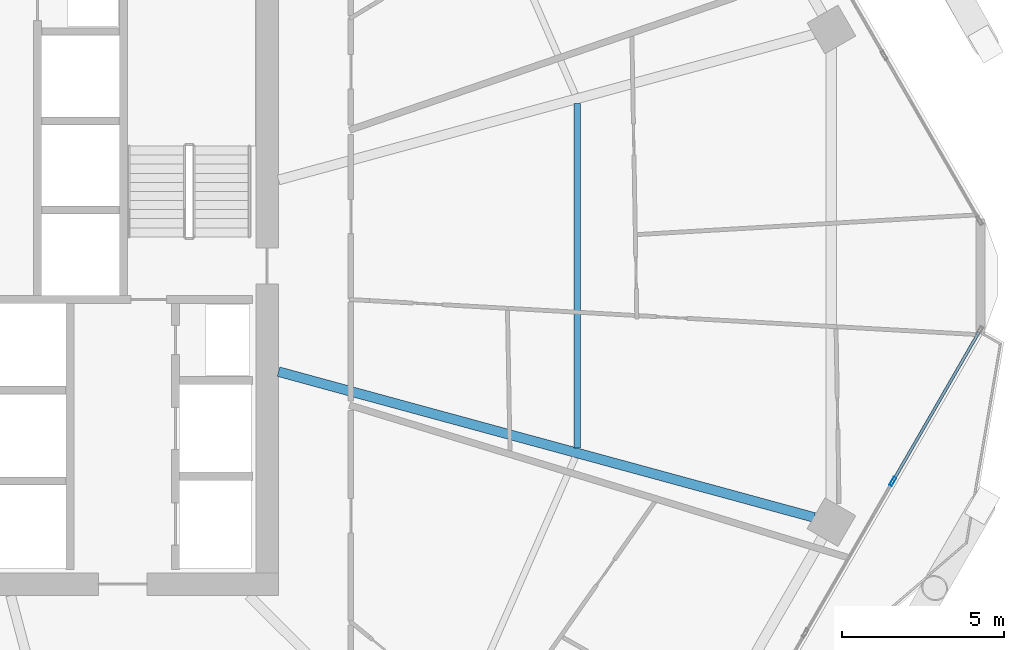
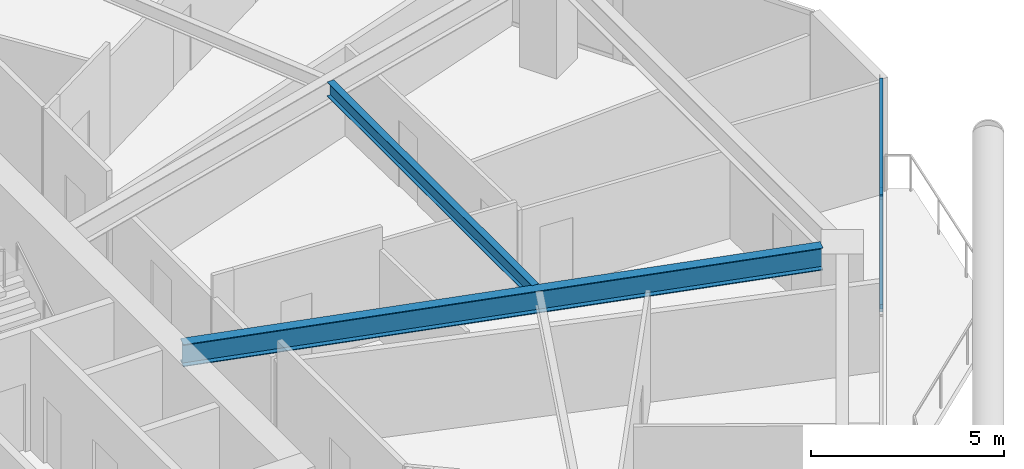
# One storey, part 13 of 36: 3 members, 2 beams, 1 element without a shape of its own.
"""IFC4 building model written with IfcOpenShell, lengths in metres."""

from ifc_helpers import new_model, si_unit, direction, frame, origin, origin_2d, place, context, subcontext, project, spatial, hollow_rectangle, i_section, extrude, material, material_profile, profile_set, type_object, element, aggregate, save


model = new_model("IFC4")

# Units and contexts
model_context = context("Model", 3, precision=1e-05, world=origin(), true_north=direction((0.0, 1.0)))
body_context = subcontext(model_context, "Body", "Model", "MODEL_VIEW")
ifc_project = project(units=[si_unit("LENGTHUNIT", "METRE"), si_unit("AREAUNIT", "SQUARE_METRE"), si_unit("VOLUMEUNIT", "CUBIC_METRE"), si_unit("PLANEANGLEUNIT", "RADIAN"), si_unit("MASSUNIT", "GRAM", prefix="KILO")], contexts=[model_context])

# Site, building, storey
site_placement = place(None, origin())
site = spatial("IfcSite", under=ifc_project, at=site_placement, CompositionType="ELEMENT")
building_placement = place(site_placement, origin())
building = spatial("IfcBuilding", under=site, at=building_placement, Name="Zuhravey Tower", CompositionType="ELEMENT")
storey_placement = place(building_placement, frame((0.0, 0.0, 107.60009765625)))
storey = spatial("IfcBuildingStorey", under=building, at=storey_placement, Name="L26", CompositionType="ELEMENT", Elevation=107.60009765625)

# Curtain wall, members
ifc_material_1 = material(Name="Thermally broken anodised aluminium", Category="aluminium")
curtain_wall_type = type_object("IfcCurtainWallType", Name="Zone 1-2 Residential Curtain Wall CW3", PredefinedType="NOTDEFINED", material=ifc_material_1)
curtain_wall_placement = place(storey_placement, origin())
curtain_wall = element("IfcCurtainWall", 1, at=curtain_wall_placement, inside=storey, type_object=curtain_wall_type, Name="L26 CW3 CW-L26-F6-1", PredefinedType="NOTDEFINED")
ifc_material_2 = material(Name="Anodised aluminium", Category="aluminium")
ifc_material_profile_1 = material_profile(ifc_material_2, hollow_rectangle(XDim=0.090087890625, YDim=0.284912109375, WallThickness=0.0048828125, at=origin_2d()), Name="ALU-RHS-90x285x5")
ifc_profile_set_1 = profile_set([ifc_material_profile_1], Name="Anodised aluminium")
member_type_1 = type_object("IfcMemberType", Name="Curtain-Wall Mullion 90x180", PredefinedType="MULLION", material=ifc_profile_set_1)
member_1_placement = place(storey_placement, frame((65.77978515625, 25.6630859375, 0.0), z_axis=(0.0, 0.0, 1.0), x_axis=(0.866026488417, -0.499998121356, 0.0)))
member_1 = element("IfcMember", 2, at=member_1_placement, type_object=member_type_1, Name="CW3 mullion 2", PredefinedType="MULLION", context=body_context, shape_type="SweptSolid", body=[
    extrude(hollow_rectangle(XDim=0.090087890625, YDim=0.284912109375, WallThickness=0.0048828125, at=origin_2d()), origin(), (0.0, 0.0, 1.0), 3.5498046875),
])
ifc_material_profile_2 = material_profile(ifc_material_2, hollow_rectangle(XDim=0.090087890625, YDim=0.14990234375, WallThickness=0.0048828125, at=origin_2d()), Name="ALU-RHS-90x150x5")
ifc_profile_set_2 = profile_set([ifc_material_profile_2], Name="Anodised aluminium")
member_type_2 = type_object("IfcMemberType", Name="Curtain-Wall Transom 90x150", PredefinedType="USERDEFINED", material=ifc_profile_set_2)
member_2_placement = place(storey_placement, frame((68.43359375, 30.259521484375, 0.044921875), z_axis=(-0.500020964445, -0.866013299618, 0.0), x_axis=(0.866013299618, -0.500020964445, 0.0)))
member_2 = element("IfcMember", 3, at=member_2_placement, type_object=member_type_2, Name="CW3 transom 1.1", ObjectType="TRANSOM", PredefinedType="USERDEFINED", context=body_context, shape_type="SweptSolid", body=[
    extrude(hollow_rectangle(XDim=0.090087890625, YDim=0.14990234375, WallThickness=0.0048828125, at=origin_2d()), origin(), (0.0, 0.0, 1.0), 5.262451171875),
])
member_3_placement = place(storey_placement, frame((68.43359375, 30.259521484375, 3.5048828125), z_axis=(-0.500020964445, -0.866013299618, 0.0), x_axis=(0.866013299618, -0.500020964445, 0.0)))
member_3 = element("IfcMember", 4, at=member_3_placement, type_object=member_type_2, Name="CW3 transom 1.2", ObjectType="TRANSOM", PredefinedType="USERDEFINED", context=body_context, shape_type="SweptSolid", body=[
    extrude(hollow_rectangle(XDim=0.090087890625, YDim=0.14990234375, WallThickness=0.0048828125, at=origin_2d()), origin(), (0.0, 0.0, 1.0), 5.262451171875),
])
aggregate(curtain_wall, [member_1, member_2, member_3])

# Beams
ifc_material_3 = material(Name="Steel SM355", Category="steel")
ifc_material_profile_3 = material_profile(ifc_material_3, i_section(OverallWidth=0.300048828125, OverallDepth=0.699951171875, WebThickness=0.012939453125, FlangeThickness=0.02392578125, at=origin_2d()), Name="H-700x300x13x24")
ifc_profile_set_3 = profile_set([ifc_material_profile_3], Name="Steel SM355")
beam_type_1 = type_object("IfcBeamType", Name="Radial Primary Girder H700x300", PredefinedType="BEAM", material=ifc_profile_set_3)
beam_1_placement = place(storey_placement, frame((46.85302734375, 29.045654296875, 3.199951171875), z_axis=(0.964893166225, -0.262642680791, 0.0), x_axis=(0.262642680791, 0.964893166225, 0.0)))
element("IfcBeam", 5, at=beam_1_placement, inside=storey, type_object=beam_type_1, Name="L26 RG1 BM-L26-RAD-12", PredefinedType="BEAM", context=body_context, shape_type="SweptSolid", body=[
    extrude(i_section(OverallWidth=0.300048828125, OverallDepth=0.699951171875, WebThickness=0.012939453125, FlangeThickness=0.02392578125, at=origin_2d()), origin(), (0.0, 0.0, 1.0), 17.102783203125),
])
ifc_material_profile_4 = material_profile(ifc_material_3, i_section(OverallWidth=0.199951171875, OverallDepth=0.449951171875, WebThickness=0.009033203125, FlangeThickness=0.013916015625, at=origin_2d()), Name="H-450x200x9x14")
ifc_profile_set_4 = profile_set([ifc_material_profile_4], Name="Steel SM355")
beam_type_2 = type_object("IfcBeamType", Name="Secondary Floor Joist H450x200", PredefinedType="JOIST", material=ifc_profile_set_4)
beam_2_placement = place(storey_placement, frame((56.052490234375, 26.695556640625, 3.324951171875), z_axis=(0.0, 1.0, 0.0), x_axis=(-1.0, 0.0, 0.0)))
element("IfcBeam", 6, at=beam_2_placement, inside=storey, type_object=beam_type_2, Name="L26 SJ1 BM-L26-SJ-12-1", PredefinedType="JOIST", context=body_context, shape_type="SweptSolid", body=[
    extrude(i_section(OverallWidth=0.199951171875, OverallDepth=0.449951171875, WebThickness=0.009033203125, FlangeThickness=0.013916015625, at=origin_2d()), origin(), (0.0, 0.0, 1.0), 10.60888671875),
])

save(model, "model.ifc")
